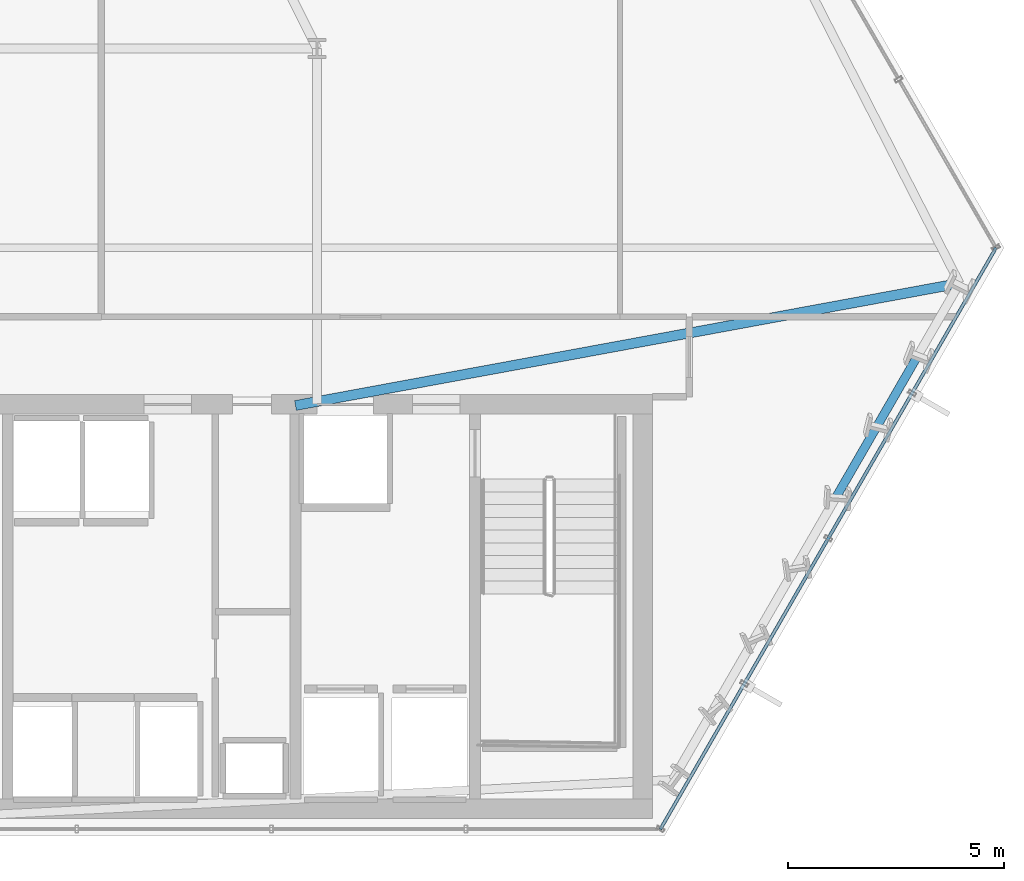
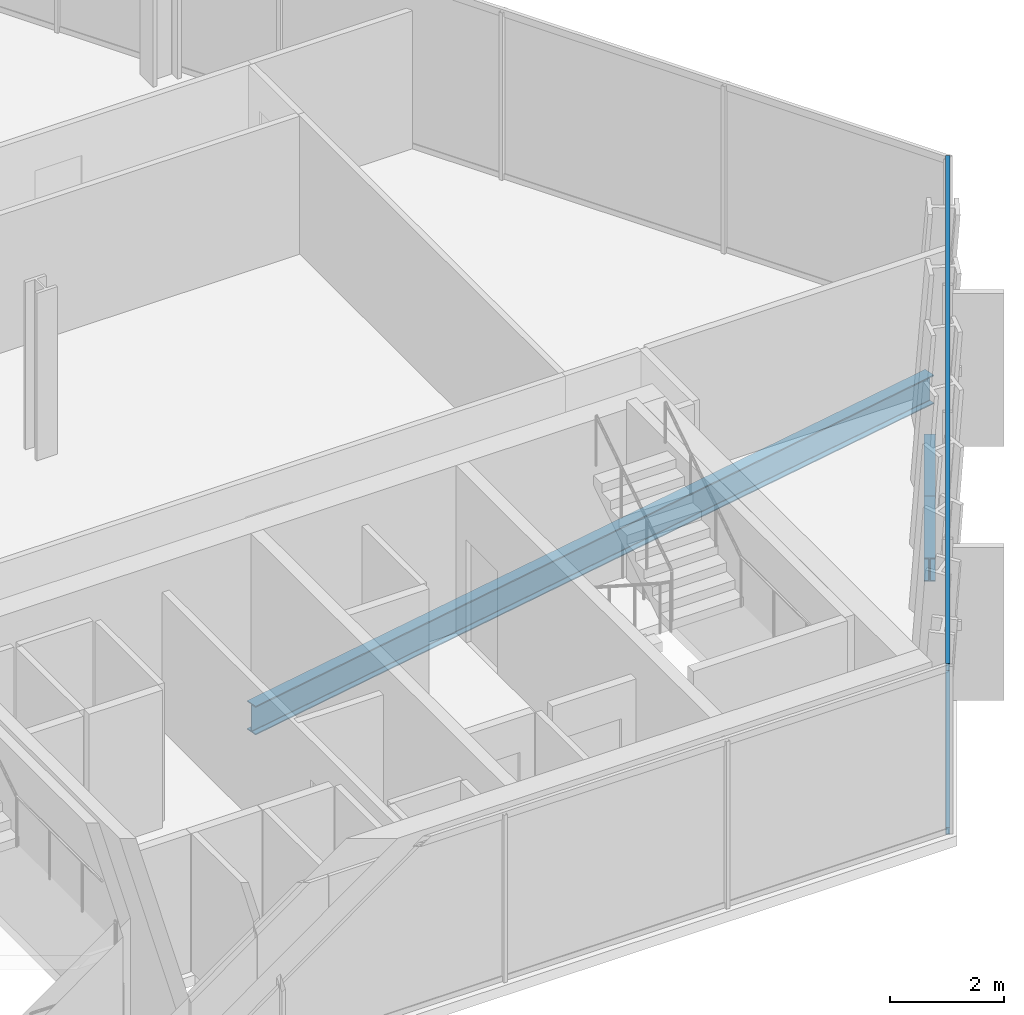
# One storey, part 16 of 32: 3 beams, 2 members, 1 element without a shape of its own.
"""IFC4 building model written with IfcOpenShell, lengths in metres."""

from ifc_helpers import new_model, si_unit, direction, frame, origin, origin_2d, place, context, subcontext, project, spatial, hollow_rectangle, i_section, extrude, material, layer, layer_set, material_profile, profile_set, type_object, element, aggregate, save


model = new_model("IFC4")

# Units and contexts
model_context = context("Model", 3, precision=1e-05, world=origin(), true_north=direction((0.0, 1.0)))
body_context = subcontext(model_context, "Body", "Model", "MODEL_VIEW")
ifc_project = project(units=[si_unit("LENGTHUNIT", "METRE"), si_unit("AREAUNIT", "SQUARE_METRE"), si_unit("VOLUMEUNIT", "CUBIC_METRE"), si_unit("PLANEANGLEUNIT", "RADIAN"), si_unit("MASSUNIT", "GRAM", prefix="KILO")], contexts=[model_context])

# Site, building, storey
site_placement = place(None, origin())
site = spatial("IfcSite", under=ifc_project, at=site_placement, CompositionType="ELEMENT")
building_placement = place(site_placement, origin())
building = spatial("IfcBuilding", under=site, at=building_placement, Name="Ndaravel Arena Tower", CompositionType="ELEMENT")
storey_placement = place(building_placement, frame((0.0, 0.0, 66.39990234375)))
storey = spatial("IfcBuildingStorey", under=building, at=storey_placement, Name="L14", CompositionType="ELEMENT", Elevation=66.39990234375)

# Beams
ifc_material_1 = material(Name="Steel S355", Category="steel")
ifc_material_profile_1 = material_profile(ifc_material_1, i_section(OverallWidth=0.230224609375, OverallDepth=0.6171875, WebThickness=0.01318359375, FlangeThickness=0.022216796875, FilletRadius=0.0126953125, at=origin_2d()), Name="UB 610x229x140")
ifc_profile_set_1 = profile_set([ifc_material_profile_1], Name="Steel S355")
beam_type_1 = type_object("IfcBeamType", Name="BM-GIRD-UB610B", PredefinedType="BEAM", material=ifc_profile_set_1)
beam_1_placement = place(storey_placement, frame((64.6484375, 17.7744140625, -0.528564453125), z_axis=(-0.983485958691, -0.180984444241, 0.0), x_axis=(0.180984444241, -0.983485958691, 0.0)))
element("IfcBeam", 1, at=beam_1_placement, inside=storey, type_object=beam_type_1, Name="L14 Radial Floor Girder FG-09", PredefinedType="BEAM", context=body_context, shape_type="SweptSolid", body=[
    extrude(i_section(OverallWidth=0.230224609375, OverallDepth=0.6171875, WebThickness=0.01318359375, FlangeThickness=0.022216796875, FilletRadius=0.0126953125, at=origin_2d()), origin(), (0.0, 0.0, 1.0), 15.606201171875),
])
ifc_material_2 = material(Name="Steel S355", Category="steel")
ifc_material_profile_2 = material_profile(ifc_material_2, i_section(OverallWidth=0.199951171875, OverallDepth=0.5, WebThickness=0.01025390625, FlangeThickness=0.01611328125, FilletRadius=0.02099609375, at=origin_2d()), Name="IPE 500")
ifc_profile_set_2 = profile_set([ifc_material_profile_2], Name="Steel S355")
beam_type_2 = type_object("IfcBeamType", Name="BM-SPAN-IPE500", PredefinedType="SPANDREL", material=ifc_profile_set_2)
beam_2_placement = place(storey_placement, frame((61.80908203125, 12.856689453125, -0.469970703125), z_axis=(0.500064840575, 0.865987964824, 0.0), x_axis=(-0.865987964824, 0.500064840575, 0.0)))
element("IfcBeam", 2, at=beam_2_placement, inside=storey, type_object=beam_type_2, Name="L14 Perimeter Spandrel Beam SP-06", PredefinedType="SPANDREL", context=body_context, shape_type="SweptSolid", body=[
    extrude(i_section(OverallWidth=0.199951171875, OverallDepth=0.5, WebThickness=0.01025390625, FlangeThickness=0.01611328125, FilletRadius=0.02099609375, at=origin_2d()), origin(), (0.0, 0.0, 1.0), 1.892822265625),
])
beam_3_placement = place(storey_placement, frame((62.755615234375, 14.495849609375, -0.469970703125), z_axis=(0.499968102766, 0.866043818878, 0.0), x_axis=(-0.866043818878, 0.499968102766, 0.0)))
element("IfcBeam", 3, at=beam_3_placement, inside=storey, type_object=beam_type_2, Name="L14 Perimeter Spandrel Beam SP-07", PredefinedType="SPANDREL", context=body_context, shape_type="SweptSolid", body=[
    extrude(i_section(OverallWidth=0.199951171875, OverallDepth=0.5, WebThickness=0.01025390625, FlangeThickness=0.01611328125, FilletRadius=0.02099609375, at=origin_2d()), origin(), (0.0, 0.0, 1.0), 1.892578125),
])

# Curtain wall, members
ifc_material_3 = material(Name="Aluminium", Category="aluminium")
ifc_layer = layer(ifc_material_3, 0.179931640625)
ifc_layer_set = layer_set([ifc_layer], Name="Aluminium")
curtain_wall_type = type_object("IfcCurtainWallType", Name="CW-SYS-01", PredefinedType="NOTDEFINED", material=ifc_layer_set)
curtain_wall_placement = place(storey_placement, origin())
curtain_wall = element("IfcCurtainWall", 4, at=curtain_wall_placement, inside=storey, type_object=curtain_wall_type, Name="L14 Faceted Crystal Curtain Wall CW-L14-E02", PredefinedType="NOTDEFINED")
ifc_material_4 = material(Name="Aluminium", Category="aluminium")
ifc_material_profile_3 = material_profile(ifc_material_4, hollow_rectangle(XDim=0.074951171875, YDim=0.14990234375, WallThickness=0.00390625, at=origin_2d()), Name="CW TRANSOM 75x150x4")
ifc_profile_set_3 = profile_set([ifc_material_profile_3], Name="Aluminium")
member_type = type_object("IfcMemberType", Name="MEM-CW-TRN150", PredefinedType="USERDEFINED", material=ifc_profile_set_3)
member_1_placement = place(storey_placement, frame((57.735107421875, 5.159912109375, 0.0400390625), z_axis=(0.499996743158, 0.866027284115, 0.0), x_axis=(-0.866027284115, 0.499996743158, 0.0)))
member_1 = element("IfcMember", 5, at=member_1_placement, type_object=member_type, Name="CW-L14-E02 Transom 01", ObjectType="TRANSOM", PredefinedType="USERDEFINED", context=body_context, shape_type="SweptSolid", body=[
    extrude(hollow_rectangle(XDim=0.074951171875, YDim=0.14990234375, WallThickness=0.00390625, at=origin_2d()), origin(), (0.0, 0.0, 1.0), 15.51220703125),
])
member_2_placement = place(storey_placement, frame((57.735107421875, 5.159912109375, 3.5400390625), z_axis=(0.499996743158, 0.866027284115, 0.0), x_axis=(-0.866027284115, 0.499996743158, 0.0)))
member_2 = element("IfcMember", 6, at=member_2_placement, type_object=member_type, Name="CW-L14-E02 Transom 02", ObjectType="TRANSOM", PredefinedType="USERDEFINED", context=body_context, shape_type="SweptSolid", body=[
    extrude(hollow_rectangle(XDim=0.074951171875, YDim=0.14990234375, WallThickness=0.00390625, at=origin_2d()), origin(), (0.0, 0.0, 1.0), 15.51220703125),
])
aggregate(curtain_wall, [member_1, member_2])

save(model, "model.ifc")
